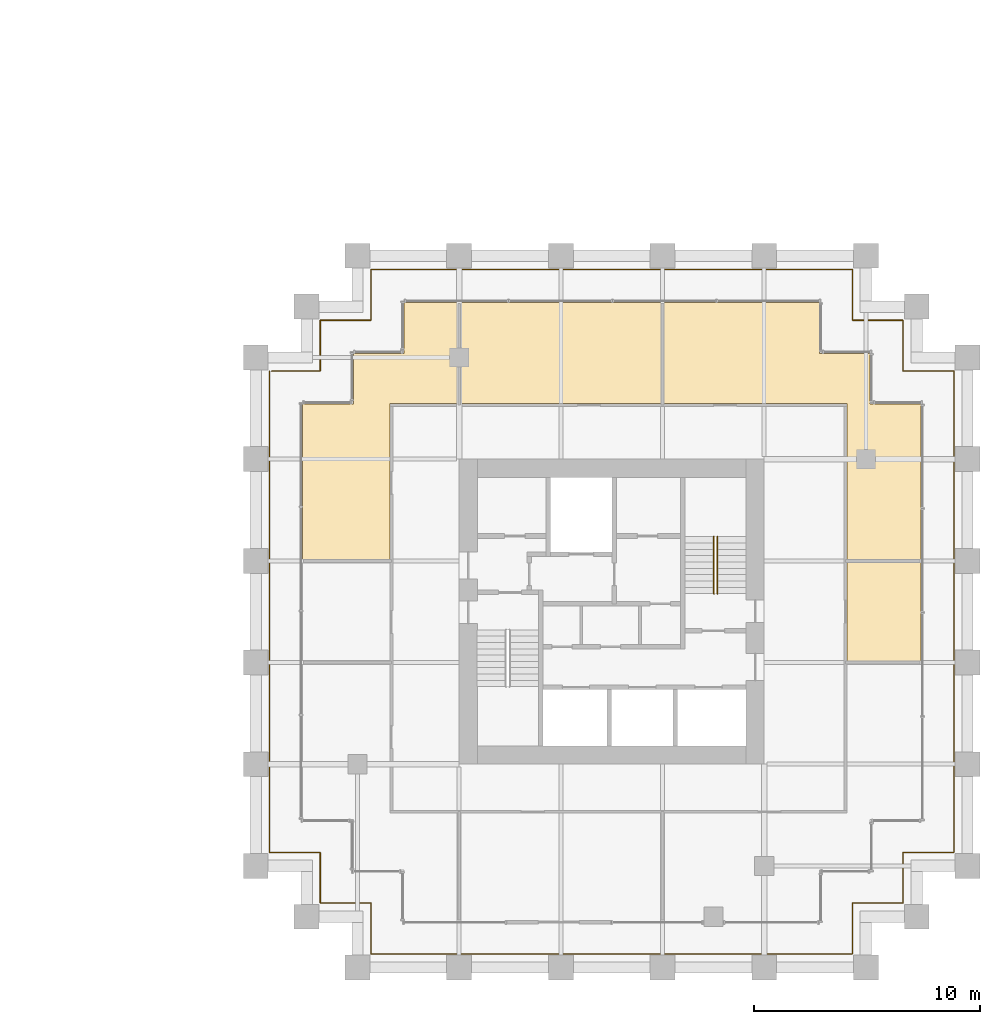
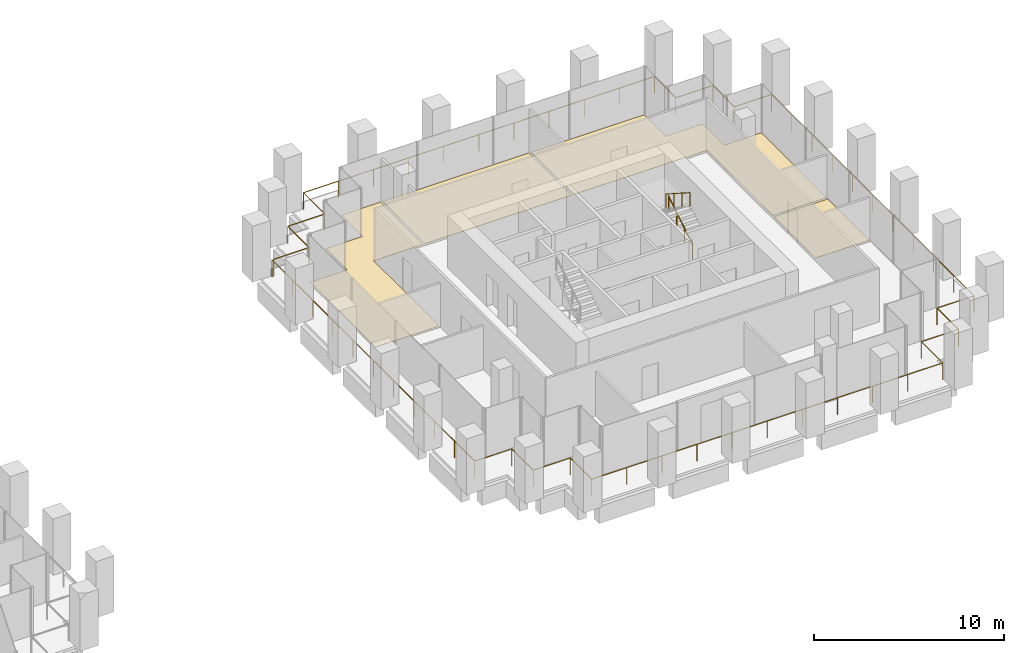
# One storey, part 56 of 56: 4 coverings, 3 railings.
"""IFC4 building model written with IfcOpenShell, lengths in metres."""

from ifc_helpers import new_model, si_unit, direction, frame, origin, origin_2d, place, context, subcontext, project, spatial, polyline, circle, outline, extrude, source, transform, mapped, material, layer, layer_set, type_object, element, save


model = new_model("IFC4")

# Units and contexts
model_context = context("Model", 3, precision=1e-05, world=origin(), true_north=direction((0.0, 1.0)))
body_context = subcontext(model_context, "Body", "Model", "MODEL_VIEW")
ifc_project = project(units=[si_unit("LENGTHUNIT", "METRE"), si_unit("AREAUNIT", "SQUARE_METRE"), si_unit("VOLUMEUNIT", "CUBIC_METRE"), si_unit("PLANEANGLEUNIT", "RADIAN"), si_unit("MASSUNIT", "GRAM", prefix="KILO")], contexts=[model_context])

# Site, building, storey
site_placement = place(None, origin())
site = spatial("IfcSite", under=ifc_project, at=site_placement, CompositionType="ELEMENT")
building_placement = place(site_placement, origin())
building = spatial("IfcBuilding", under=site, at=building_placement, Name="Altepetl Exchange Towers", CompositionType="ELEMENT")
storey_placement = place(building_placement, frame((0.0, 0.0, 69.0)))
storey = spatial("IfcBuildingStorey", under=building, at=storey_placement, Name="L16", CompositionType="ELEMENT", Elevation=69.0)

# Coverings
ifc_material_1 = material(Name="Carpet tile")
ifc_layer = layer(ifc_material_1, 0.02001953125)
ifc_layer_set = layer_set([ifc_layer], Name="Carpet tile")
covering_type = type_object("IfcCoveringType", Name="Carpet tile floor", PredefinedType="FLOORING", material=ifc_layer_set)
covering_1_placement = place(storey_placement, origin())
element("IfcCovering", 1, at=covering_1_placement, inside=storey, type_object=covering_type, Name="Print room floor finish B16.04", PredefinedType="FLOORING", context=body_context, shape_type="SweptSolid", body=[
    extrude(outline(polyline([(123.9375, 44.9375), (120.66259765625, 44.9375), (120.66259765625, 40.5625), (123.9375, 40.5625), (123.9375, 44.9375)])), origin(), (0.0, 0.0, 1.0), 0.02001953125),
])
covering_2_placement = place(storey_placement, origin())
element("IfcCovering", 2, at=covering_2_placement, inside=storey, type_object=covering_type, Name="Open office floor finish B16.05", PredefinedType="FLOORING", context=body_context, shape_type="SweptSolid", body=[
    extrude(outline(polyline([(112.5625, 56.4375), (112.5625, 51.96240234375), (120.66259765625, 51.96240234375), (120.66259765625, 45.0625), (123.9375, 45.0625), (123.9375, 51.9375), (121.6875, 51.9375), (121.6875, 54.1875), (119.4375, 54.1875), (119.4375, 56.4375), (112.5625, 56.4375)])), origin(), (0.0, 0.0, 1.0), 0.02001953125),
])
covering_3_placement = place(storey_placement, origin())
element("IfcCovering", 3, at=covering_3_placement, inside=storey, type_object=covering_type, Name="Print room floor finish B16.06", PredefinedType="FLOORING", context=body_context, shape_type="SweptSolid", body=[
    extrude(outline(polyline([(103.5625, 56.4375), (103.5625, 51.96240234375), (112.4375, 51.96240234375), (112.4375, 56.4375), (103.5625, 56.4375)])), origin(), (0.0, 0.0, 1.0), 0.02001953125),
])
covering_4_placement = place(storey_placement, origin())
element("IfcCovering", 4, at=covering_4_placement, inside=storey, type_object=covering_type, Name="Huddle room floor finish B16.07", PredefinedType="FLOORING", context=body_context, shape_type="SweptSolid", body=[
    extrude(outline(polyline([(101.0625, 54.1875), (98.8125, 54.1875), (98.8125, 51.9375), (96.5625, 51.9375), (96.5625, 45.0625), (100.4375, 45.0625), (100.4375, 51.96240234375), (103.4375, 51.96240234375), (103.4375, 56.4375), (101.0625, 56.4375), (101.0625, 54.1875)])), origin(), (0.0, 0.0, 1.0), 0.02001953125),
])

# Railings
ifc_material_2 = material(Name="Steel S355", Category="steel")
railing_type_1 = type_object("IfcRailingType", Name="Guard 1100 steel posts and rail", PredefinedType="GUARDRAIL", material=ifc_material_2)
shared_shape_1 = source(origin(), body_context, "Body", "SweptSolid", [
    extrude(circle(Radius=0.02099609375, at=origin_2d()), origin(), (0.0, 0.0, 1.0), 1.052001953125),
])
railing_1_placement = place(storey_placement, frame((95.10009765625, 53.39990234375, 0.0)))
element("IfcRailing", 5, at=railing_1_placement, inside=storey, type_object=railing_type_1, Name="Loggia guard", PredefinedType="GUARDRAIL", context=body_context, shape_type="SweptSolid", body=[
    extrude(circle(Radius=0.02392578125, at=origin_2d()), frame((0.0, 0.0, 1.076171875), z_axis=(0.0, -1.0, 0.0), x_axis=(1.0, 0.0, 0.0)), (0.0, 0.0, 1.0), 21.2998046875),
    extrude(circle(Radius=0.02392578125, at=origin_2d()), frame((0.0, -21.2998046875, 1.076171875), z_axis=(1.0, 0.0, 0.0), x_axis=(0.0, 1.0, 0.0)), (0.0, 0.0, 1.0), 2.25),
    extrude(circle(Radius=0.02392578125, at=origin_2d()), frame((2.25, -21.2998046875, 1.076171875), z_axis=(0.0, -1.0, 0.0), x_axis=(1.0, 0.0, 0.0)), (0.0, 0.0, 1.0), 2.25),
    extrude(circle(Radius=0.02392578125, at=origin_2d()), frame((2.25, -23.5498046875, 1.076171875), z_axis=(1.0, 0.0, 0.0), x_axis=(0.0, 1.0, 0.0)), (0.0, 0.0, 1.0), 2.25),
    extrude(circle(Radius=0.02392578125, at=origin_2d()), frame((4.5, -23.5498046875, 1.076171875), z_axis=(0.0, -1.0, 0.0), x_axis=(1.0, 0.0, 0.0)), (0.0, 0.0, 1.0), 2.25),
    extrude(circle(Radius=0.02392578125, at=origin_2d()), frame((4.5, -25.7998046875, 1.076171875), z_axis=(1.0, 0.0, 0.0), x_axis=(0.0, 1.0, 0.0)), (0.0, 0.0, 1.0), 21.2998046875),
    extrude(circle(Radius=0.02392578125, at=origin_2d()), frame((25.7998046875, -25.7998046875, 1.076171875), z_axis=(0.0, 1.0, 0.0), x_axis=(-1.0, 0.0, 0.0)), (0.0, 0.0, 1.0), 2.25),
    extrude(circle(Radius=0.02392578125, at=origin_2d()), frame((25.7998046875, -23.5498046875, 1.076171875), z_axis=(1.0, 0.0, 0.0), x_axis=(0.0, 1.0, 0.0)), (0.0, 0.0, 1.0), 2.25),
    extrude(circle(Radius=0.02392578125, at=origin_2d()), frame((28.0498046875, -23.5498046875, 1.076171875), z_axis=(0.0, 1.0, 0.0), x_axis=(-1.0, 0.0, 0.0)), (0.0, 0.0, 1.0), 2.25),
    extrude(circle(Radius=0.02392578125, at=origin_2d()), frame((28.0498046875, -21.2998046875, 1.076171875), z_axis=(1.0, 0.0, 0.0), x_axis=(0.0, 1.0, 0.0)), (0.0, 0.0, 1.0), 2.25),
    extrude(circle(Radius=0.02392578125, at=origin_2d()), frame((30.2998046875, -21.2998046875, 1.076171875), z_axis=(0.0, 1.0, 0.0), x_axis=(-1.0, 0.0, 0.0)), (0.0, 0.0, 1.0), 21.2998046875),
    extrude(circle(Radius=0.02392578125, at=origin_2d()), frame((30.2998046875, 0.0, 1.076171875), z_axis=(-1.0, 0.0, 0.0), x_axis=(0.0, -1.0, 0.0)), (0.0, 0.0, 1.0), 2.25),
    extrude(circle(Radius=0.02392578125, at=origin_2d()), frame((28.0498046875, 0.0, 1.076171875), z_axis=(0.0, 1.0, 0.0), x_axis=(-1.0, 0.0, 0.0)), (0.0, 0.0, 1.0), 2.25),
    extrude(circle(Radius=0.02392578125, at=origin_2d()), frame((28.0498046875, 2.25, 1.076171875), z_axis=(-1.0, 0.0, 0.0), x_axis=(0.0, -1.0, 0.0)), (0.0, 0.0, 1.0), 2.25),
    extrude(circle(Radius=0.02392578125, at=origin_2d()), frame((25.7998046875, 2.25, 1.076171875), z_axis=(0.0, 1.0, 0.0), x_axis=(-1.0, 0.0, 0.0)), (0.0, 0.0, 1.0), 2.25),
    extrude(circle(Radius=0.02392578125, at=origin_2d()), frame((25.7998046875, 4.5, 1.076171875), z_axis=(-1.0, 0.0, 0.0), x_axis=(0.0, -1.0, 0.0)), (0.0, 0.0, 1.0), 21.2998046875),
    extrude(circle(Radius=0.02392578125, at=origin_2d()), frame((4.5, 4.5, 1.076171875), z_axis=(0.0, -1.0, 0.0), x_axis=(1.0, 0.0, 0.0)), (0.0, 0.0, 1.0), 2.25),
    extrude(circle(Radius=0.02392578125, at=origin_2d()), frame((4.5, 2.25, 1.076171875), z_axis=(-1.0, 0.0, 0.0), x_axis=(0.0, -1.0, 0.0)), (0.0, 0.0, 1.0), 2.25),
    extrude(circle(Radius=0.02392578125, at=origin_2d()), frame((2.25, 2.25, 1.076171875), z_axis=(0.0, -1.0, 0.0), x_axis=(1.0, 0.0, 0.0)), (0.0, 0.0, 1.0), 2.25),
    extrude(circle(Radius=0.02392578125, at=origin_2d()), frame((2.25, 0.0, 1.076171875), z_axis=(-1.0, 0.0, 0.0), x_axis=(0.0, -1.0, 0.0)), (0.0, 0.0, 1.0), 2.150146484375),
    mapped(shared_shape_1, transform((0.0, 0.0, 0.0))),
    mapped(shared_shape_1, transform((0.0, -2.1298828125, 0.0))),
    mapped(shared_shape_1, transform((0.0, -4.260009765625, 0.0))),
    mapped(shared_shape_1, transform((0.0, -6.389892578125, 0.0))),
    mapped(shared_shape_1, transform((0.0, -8.52001953125, 0.0))),
    mapped(shared_shape_1, transform((0.0, -10.64990234375, 0.0))),
    mapped(shared_shape_1, transform((0.0, -12.77978515625, 0.0))),
    mapped(shared_shape_1, transform((0.0, -14.909912109375, 0.0))),
    mapped(shared_shape_1, transform((0.0, -17.039794921875, 0.0))),
    mapped(shared_shape_1, transform((0.0, -19.169921875, 0.0))),
    mapped(shared_shape_1, transform((0.0, -21.2998046875, 0.0))),
    mapped(shared_shape_1, transform((2.25, -21.2998046875, 0.0))),
    mapped(shared_shape_1, transform((2.25, -23.5498046875, 0.0))),
    mapped(shared_shape_1, transform((4.5, -23.5498046875, 0.0))),
    mapped(shared_shape_1, transform((4.5, -25.7998046875, 0.0))),
    mapped(shared_shape_1, transform((6.6298828125, -25.7998046875, 0.0))),
    mapped(shared_shape_1, transform((8.760009765625, -25.7998046875, 0.0))),
    mapped(shared_shape_1, transform((10.889892578125, -25.7998046875, 0.0))),
    mapped(shared_shape_1, transform((13.02001953125, -25.7998046875, 0.0))),
    mapped(shared_shape_1, transform((15.14990234375, -25.7998046875, 0.0))),
    mapped(shared_shape_1, transform((17.27978515625, -25.7998046875, 0.0))),
    mapped(shared_shape_1, transform((19.409912109375, -25.7998046875, 0.0))),
    mapped(shared_shape_1, transform((21.539794921875, -25.7998046875, 0.0))),
    mapped(shared_shape_1, transform((23.669921875, -25.7998046875, 0.0))),
    mapped(shared_shape_1, transform((25.7998046875, -25.7998046875, 0.0))),
    mapped(shared_shape_1, transform((25.7998046875, -23.5498046875, 0.0))),
    mapped(shared_shape_1, transform((28.0498046875, -23.5498046875, 0.0))),
    mapped(shared_shape_1, transform((28.0498046875, -21.2998046875, 0.0))),
    mapped(shared_shape_1, transform((30.2998046875, -21.2998046875, 0.0))),
    mapped(shared_shape_1, transform((30.2998046875, -19.169921875, 0.0))),
    mapped(shared_shape_1, transform((30.2998046875, -17.039794921875, 0.0))),
    mapped(shared_shape_1, transform((30.2998046875, -14.909912109375, 0.0))),
    mapped(shared_shape_1, transform((30.2998046875, -12.77978515625, 0.0))),
    mapped(shared_shape_1, transform((30.2998046875, -10.64990234375, 0.0))),
    mapped(shared_shape_1, transform((30.2998046875, -8.52001953125, 0.0))),
    mapped(shared_shape_1, transform((30.2998046875, -6.389892578125, 0.0))),
    mapped(shared_shape_1, transform((30.2998046875, -4.260009765625, 0.0))),
    mapped(shared_shape_1, transform((30.2998046875, -2.1298828125, 0.0))),
    mapped(shared_shape_1, transform((30.2998046875, 0.0, 0.0))),
    mapped(shared_shape_1, transform((28.0498046875, 0.0, 0.0))),
    mapped(shared_shape_1, transform((28.0498046875, 2.25, 0.0))),
    mapped(shared_shape_1, transform((25.7998046875, 2.25, 0.0))),
    mapped(shared_shape_1, transform((25.7998046875, 4.5, 0.0))),
    mapped(shared_shape_1, transform((23.669921875, 4.5, 0.0))),
    mapped(shared_shape_1, transform((21.539794921875, 4.5, 0.0))),
    mapped(shared_shape_1, transform((19.409912109375, 4.5, 0.0))),
    mapped(shared_shape_1, transform((17.27978515625, 4.5, 0.0))),
    mapped(shared_shape_1, transform((15.14990234375, 4.5, 0.0))),
    mapped(shared_shape_1, transform((13.02001953125, 4.5, 0.0))),
    mapped(shared_shape_1, transform((10.889892578125, 4.5, 0.0))),
    mapped(shared_shape_1, transform((8.760009765625, 4.5, 0.0))),
    mapped(shared_shape_1, transform((6.6298828125, 4.5, 0.0))),
    mapped(shared_shape_1, transform((4.5, 4.5, 0.0))),
    mapped(shared_shape_1, transform((4.5, 2.25, 0.0))),
    mapped(shared_shape_1, transform((2.25, 2.25, 0.0))),
    mapped(shared_shape_1, transform((2.25, 0.0, 0.0))),
    mapped(shared_shape_1, transform((0.099853515625, 0.0, 0.0))),
])
ifc_material_3 = material(Name="Steel", Category="steel")
railing_type_2 = type_object("IfcRailingType", Name="Stair handrail 50 steel tube", PredefinedType="HANDRAIL", material=ifc_material_3)
shared_shape_2 = source(origin(), body_context, "Body", "SweptSolid", [
    extrude(circle(Radius=0.02099609375, at=origin_2d()), origin(), (0.0, 0.0, 1.0), 0.851806640625),
])
railing_2_placement = place(storey_placement, frame((114.929931640625, 43.550048828125, 0.179931640625)))
element("IfcRailing", 6, at=railing_2_placement, inside=storey, type_object=railing_type_2, Name="Stair handrail", PredefinedType="HANDRAIL", context=body_context, shape_type="SweptSolid", body=[
    extrude(circle(Radius=0.02392578125, at=origin_2d()), frame((0.0, 0.0, 0.8759765625), z_axis=(0.0, 0.841162588446, 0.540782303519), x_axis=(-1.0, 0.0, 0.0)), (0.0, 0.0, 1.0), 2.995849609375),
    mapped(shared_shape_2, transform((0.0, 0.0, 0.0))),
    mapped(shared_shape_2, transform((0.0, 0.840087890625, 0.5400390625))),
    mapped(shared_shape_2, transform((0.0, 1.679931640625, 1.080078125))),
    mapped(shared_shape_2, transform((0.0, 2.52001953125, 1.6201171875))),
])
railing_3_placement = place(storey_placement, frame((114.77001953125, 46.070068359375, 1.97998046875)))
element("IfcRailing", 7, at=railing_3_placement, inside=storey, type_object=railing_type_2, Name="Stair handrail", PredefinedType="HANDRAIL", context=body_context, shape_type="SweptSolid", body=[
    extrude(circle(Radius=0.02392578125, at=origin_2d()), frame((0.0, 0.0, 0.8759765625), z_axis=(0.0, -0.841162588446, 0.540782303519), x_axis=(1.0, 0.0, 0.0)), (0.0, 0.0, 1.0), 2.995849609375),
    mapped(shared_shape_2, transform((0.0, 0.0, 0.0))),
    mapped(shared_shape_2, transform((0.0, -0.840087890625, 0.5400390625))),
    mapped(shared_shape_2, transform((0.0, -1.679931640625, 1.080078125))),
    mapped(shared_shape_2, transform((0.0, -2.52001953125, 1.6201171875))),
])

save(model, "model.ifc")
